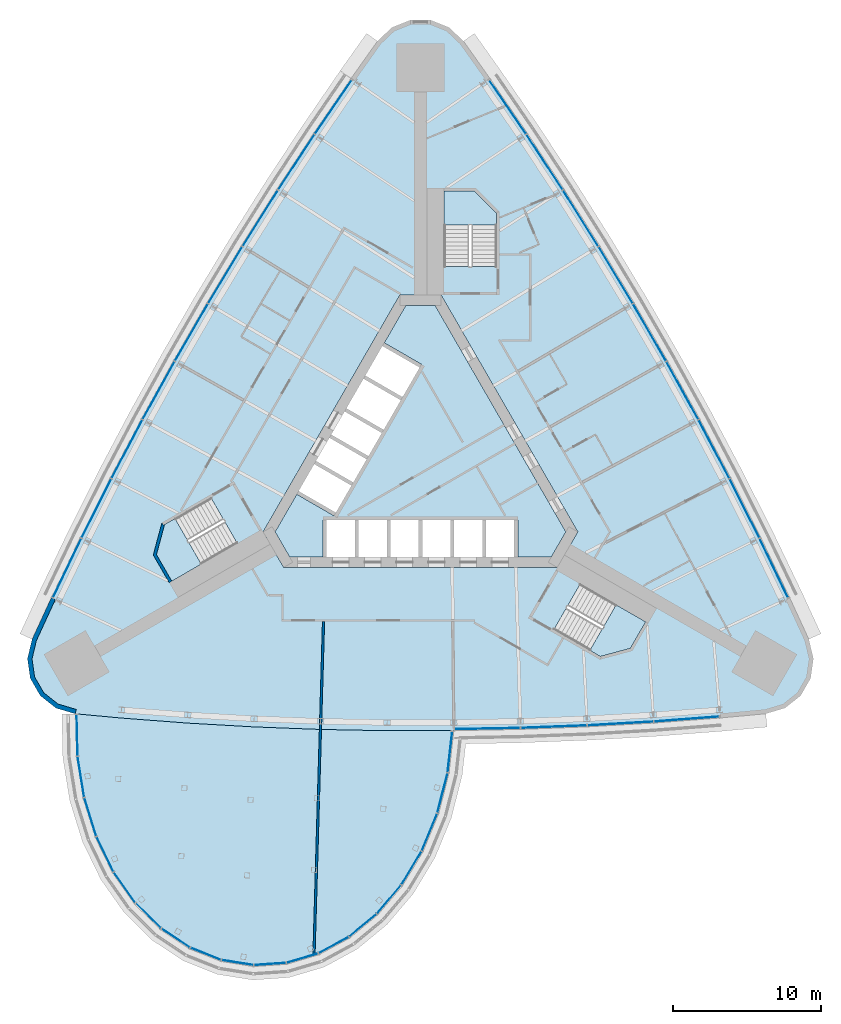
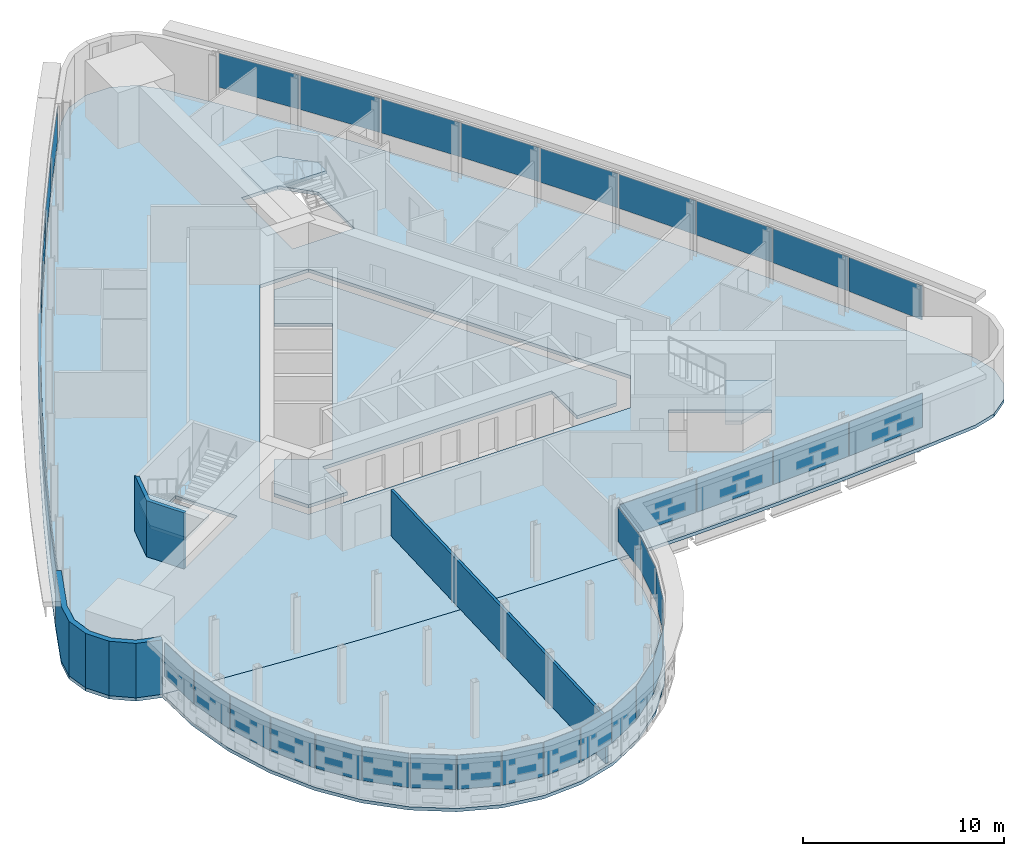
# One storey, part 8 of 15: 40 plates, 6 slabs, 3 walls, 7 elements without a shape of their own.
"""IFC4 building model written with IfcOpenShell, lengths in metres."""

from ifc_helpers import new_model, si_unit, direction, frame, frame_2d, origin, origin_2d, place, context, subcontext, project, spatial, polyline, rectangle, outline, extrude, material, layer, layer_set, type_object, element, aggregate, save


model = new_model("IFC4")

# Units and contexts
model_context = context("Model", 3, precision=1e-05, world=origin(), true_north=direction((0.0, 1.0)))
body_context = subcontext(model_context, "Body", "Model", "MODEL_VIEW")
ifc_project = project(units=[si_unit("LENGTHUNIT", "METRE"), si_unit("AREAUNIT", "SQUARE_METRE"), si_unit("VOLUMEUNIT", "CUBIC_METRE"), si_unit("PLANEANGLEUNIT", "RADIAN"), si_unit("MASSUNIT", "GRAM", prefix="KILO")], contexts=[model_context])

# Site, building, storey
site_placement = place(None, origin())
site = spatial("IfcSite", under=ifc_project, at=site_placement, CompositionType="ELEMENT")
building_placement = place(site_placement, origin())
building = spatial("IfcBuilding", under=site, at=building_placement, Name="Noor Cloister Tower", CompositionType="ELEMENT")
storey_placement = place(building_placement, frame((0.0, 0.0, 58.199951171875)))
storey = spatial("IfcBuildingStorey", under=building, at=storey_placement, Name="L14", CompositionType="ELEMENT", Elevation=58.199951171875)

# Slabs
ifc_material_1 = material(Name="Concrete C40/50", Category="concrete")
ifc_layer_1 = layer(ifc_material_1, 0.199951171875)
ifc_layer_set_1 = layer_set([ifc_layer_1], Name="Core floor slab 200 C40/50")
slab_type_1 = type_object("IfcSlabType", Name="Core floor slab 200 C40/50", PredefinedType="FLOOR", material=ifc_layer_set_1)
slab_1_placement = place(storey_placement, frame((0.0, 0.0, -0.199951171875)))
element("IfcSlab", 1, at=slab_1_placement, inside=storey, type_object=slab_type_1, Name="Core floor L14", PredefinedType="FLOOR", context=body_context, shape_type="SweptSolid", body=[
    extrude(outline(polyline([(-6.574951171875, -6.228271484375), (-6.574951171875, -3.728271484375), (6.574951171875, -3.728271484375), (6.574951171875, -6.228271484375), (8.82470703125, -6.228271484375), (9.80615234375, -4.5283203125), (0.9814453125, 10.75634765625), (-0.9814453125, 10.75634765625), (-2.44384765625, 8.2236328125), (0.067626953125, 6.773681640625), (-5.832275390625, -3.4453125), (-8.34375, -1.995361328125), (-9.80615234375, -4.5283203125), (-8.82470703125, -6.228271484375), (-6.574951171875, -6.228271484375)])), origin(), (0.0, 0.0, 1.0), 0.199951171875),
])
ifc_material_2 = material(Name="Concrete C40/50", Category="concrete")
ifc_layer_2 = layer(ifc_material_2, 0.199951171875)
ifc_layer_set_2 = layer_set([ifc_layer_2], Name="Floor slab 200 C40/50")
slab_type_2 = type_object("IfcSlabType", Name="Floor slab 200 C40/50", PredefinedType="FLOOR", material=ifc_layer_set_2)
slab_2_placement = place(storey_placement, frame((0.0, 0.0, -0.199951171875)))
element("IfcSlab", 2, at=slab_2_placement, inside=storey, type_object=slab_type_2, Name="Floor slab L14", PredefinedType="FLOOR", context=body_context, shape_type="SweptSolid", body=[
    extrude(outline(polyline([(2.90087890625, 28.576171875), (1.923828125, 29.502197265625), (0.673095703125, 30.000732421875), (-0.673095703125, 30.000732421875), (-1.923828125, 29.502197265625), (-2.90087890625, 28.576171875), (-4.683837890625, 26.05810546875), (-7.224609375, 22.343994140625), (-9.69384765625, 18.582275390625), (-12.091064453125, 14.77392578125), (-14.4150390625, 10.920654296875), (-16.6650390625, 7.0234375), (-18.840087890625, 3.084228515625), (-20.939697265625, -0.89599609375), (-22.962890625, -4.91552734375), (-24.908935546875, -8.972900390625), (-26.1982421875, -11.77587890625), (-26.511474609375, -13.085205078125), (-26.31787109375, -14.41748046875), (-25.644775390625, -15.583251953125), (-24.587890625, -16.417236328125), (-23.29736328125, -16.80029296875), (-20.22509765625, -17.085205078125), (-15.73828125, -17.4287109375), (-11.24560546875, -17.686279296875), (-6.7490234375, -17.858154296875), (-2.25, -17.944091796875), (2.25, -17.944091796875), (6.7490234375, -17.858154296875), (11.24560546875, -17.686279296875), (15.73828125, -17.4287109375), (20.22509765625, -17.085205078125), (23.29736328125, -16.80029296875), (24.587890625, -16.417236328125), (25.644775390625, -15.583251953125), (26.31787109375, -14.41748046875), (26.511474609375, -13.085205078125), (26.1982421875, -11.77587890625), (24.908935546875, -8.972900390625), (22.962890625, -4.91552734375), (20.939697265625, -0.89599609375), (18.840087890625, 3.084228515625), (16.6650390625, 7.0234375), (14.4150390625, 10.920654296875), (12.091064453125, 14.77392578125), (9.69384765625, 18.582275390625), (7.224609375, 22.343994140625), (4.683837890625, 26.05810546875), (2.90087890625, 28.576171875)]), holes=[polyline([(8.999755859375, -11.126220703125), (12.131591796875, -12.934326171875), (14.1572265625, -12.3916015625), (15.19091796875, -10.601318359375), (10.774658203125, -8.0517578125), (8.999755859375, -11.126220703125)]), polyline([(-17.81005859375, -6.064697265625), (-16.776611328125, -7.85498046875), (-12.3603515625, -5.305419921875), (-14.13525390625, -2.23095703125), (-16.662841796875, -3.690185546875), (-17.267333984375, -4.039306640625), (-17.81005859375, -6.064697265625)]), polyline([(-10.6142578125, -4.5283203125), (-9.228759765625, -6.92822265625), (9.228759765625, -6.92822265625), (10.6142578125, -4.5283203125), (1.3857421875, 11.456298828125), (-1.3857421875, 11.456298828125), (-10.6142578125, -4.5283203125)]), polyline([(3.65283203125, 18.456298828125), (1.585693359375, 18.456298828125), (1.585693359375, 13.35693359375), (5.135498046875, 13.35693359375), (5.135498046875, 16.9736328125), (3.65283203125, 18.456298828125)])]), origin(), (0.0, 0.0, 1.0), 0.199951171875),
])

# Curtain wall, plates
ifc_material_3 = material(Name="Aluminium 6063-T6 anodised", Category="aluminium")
curtain_wall_type_1 = type_object("IfcCurtainWallType", Name="Ribbon curtain wall, lower tower CW1", PredefinedType="NOTDEFINED", material=ifc_material_3)
curtain_wall_1_placement = place(storey_placement, origin())
curtain_wall_1 = element("IfcCurtainWall", 3, at=curtain_wall_1_placement, inside=storey, type_object=curtain_wall_type_1, Name="CW1 L14 NW run 1", PredefinedType="NOTDEFINED")
ifc_material_4 = material(Name="Clear laminated glass 2 x 8 mm", Category="glass")
ifc_layer_3 = layer(ifc_material_4, 0.028076171875)
ifc_layer_set_3 = layer_set([ifc_layer_3], Name="Glass panel CW1")
plate_type_1 = type_object("IfcPlateType", Name="Glass panel CW1", PredefinedType="CURTAIN_PANEL", material=ifc_layer_set_3)
plate_1_placement = place(storey_placement, frame((-5.882568359375, 24.12841796875, 1.08984375), z_axis=(0.0, 0.0, 1.0), x_axis=(-0.564629239498, -0.82534466855, 0.0)))
plate_1 = element("IfcPlate", 4, at=plate_1_placement, type_object=plate_type_1, Name="CW1 glass panel 1", PredefinedType="CURTAIN_PANEL", context=body_context, shape_type="SweptSolid", body=[
    extrude(rectangle(XDim=4.39892578125, YDim=0.028076171875, at=origin_2d()), origin(), (0.0, 0.0, 1.0), 2.070068359375),
])
plate_2_placement = place(storey_placement, frame((-8.375732421875, 20.408203125, 1.08984375), z_axis=(0.0, 0.0, 1.0), x_axis=(-0.548766225596, -0.835975854702, 0.0)))
plate_2 = element("IfcPlate", 5, at=plate_2_placement, type_object=plate_type_1, Name="CW1 glass panel 2", PredefinedType="CURTAIN_PANEL", context=body_context, shape_type="SweptSolid", body=[
    extrude(rectangle(XDim=4.43798828125, YDim=0.028076171875, at=origin_2d()), origin(), (0.0, 0.0, 1.0), 2.070068359375),
])
plate_3_placement = place(storey_placement, frame((-10.807861328125, 16.624755859375, 1.08984375), z_axis=(0.0, 0.0, 1.0), x_axis=(-0.532703085297, -0.84630220543, 0.0)))
plate_3 = element("IfcPlate", 6, at=plate_3_placement, type_object=plate_type_1, Name="CW1 glass panel 3", PredefinedType="CURTAIN_PANEL", context=body_context, shape_type="SweptSolid", body=[
    extrude(rectangle(XDim=4.43798828125, YDim=0.028076171875, at=origin_2d()), origin(), (0.0, 0.0, 1.0), 2.070068359375),
])
plate_4_placement = place(storey_placement, frame((-13.16748046875, 12.795654296875, 1.08984375), z_axis=(0.0, 0.0, 1.0), x_axis=(-0.516445705504, -0.856319936277, 0.0)))
plate_4 = element("IfcPlate", 7, at=plate_4_placement, type_object=plate_type_1, Name="CW1 glass panel 4", PredefinedType="CURTAIN_PANEL", context=body_context, shape_type="SweptSolid", body=[
    extrude(rectangle(XDim=4.43798828125, YDim=0.028076171875, at=origin_2d()), origin(), (0.0, 0.0, 1.0), 2.070068359375),
])
plate_5_placement = place(storey_placement, frame((-15.453369140625, 8.922119140625, 1.08984375), z_axis=(0.0, 0.0, 1.0), x_axis=(-0.5, -0.866025403784, 0.0)))
plate_5 = element("IfcPlate", 8, at=plate_5_placement, type_object=plate_type_1, Name="CW1 glass panel 5", PredefinedType="CURTAIN_PANEL", context=body_context, shape_type="SweptSolid", body=[
    extrude(rectangle(XDim=4.43798828125, YDim=0.028076171875, at=origin_2d()), origin(), (0.0, 0.0, 1.0), 2.070068359375),
])
plate_6_placement = place(storey_placement, frame((-17.6650390625, 5.005615234375, 1.08984375), z_axis=(0.0, 0.0, 1.0), x_axis=(-0.483371965831, -0.875415068781, 0.0)))
plate_6 = element("IfcPlate", 9, at=plate_6_placement, type_object=plate_type_1, Name="CW1 glass panel 6", PredefinedType="CURTAIN_PANEL", context=body_context, shape_type="SweptSolid", body=[
    extrude(rectangle(XDim=4.43798828125, YDim=0.028076171875, at=origin_2d()), origin(), (0.0, 0.0, 1.0), 2.070068359375),
])
plate_7_placement = place(storey_placement, frame((-19.801513671875, 1.047607421875, 1.08984375), z_axis=(0.0, 0.0, 1.0), x_axis=(-0.466567666533, -0.884485507256, 0.0)))
plate_7 = element("IfcPlate", 10, at=plate_7_placement, type_object=plate_type_1, Name="CW1 glass panel 7", PredefinedType="CURTAIN_PANEL", context=body_context, shape_type="SweptSolid", body=[
    extrude(rectangle(XDim=4.43798828125, YDim=0.028076171875, at=origin_2d()), origin(), (0.0, 0.0, 1.0), 2.070068359375),
])
plate_8_placement = place(storey_placement, frame((-21.86181640625, -2.95068359375, 1.08984375), z_axis=(0.0, 0.0, 1.0), x_axis=(-0.449593214325, -0.893233419456, 0.0)))
plate_8 = element("IfcPlate", 11, at=plate_8_placement, type_object=plate_type_1, Name="CW1 glass panel 8", PredefinedType="CURTAIN_PANEL", context=body_context, shape_type="SweptSolid", body=[
    extrude(rectangle(XDim=4.43798828125, YDim=0.028076171875, at=origin_2d()), origin(), (0.0, 0.0, 1.0), 2.070068359375),
])
plate_9_placement = place(storey_placement, frame((-23.837158203125, -6.9697265625, 1.08984375), z_axis=(0.0, 0.0, 1.0), x_axis=(-0.432454830094, -0.9016555994, 0.0)))
plate_9 = element("IfcPlate", 12, at=plate_9_placement, type_object=plate_type_1, Name="CW1 glass panel 9", PredefinedType="CURTAIN_PANEL", context=body_context, shape_type="SweptSolid", body=[
    extrude(rectangle(XDim=4.39892578125, YDim=0.028076171875, at=origin_2d()), origin(), (0.0, 0.0, 1.0), 2.070068359375),
])
aggregate(curtain_wall_1, [plate_1, plate_2, plate_3, plate_4, plate_5, plate_6, plate_7, plate_8, plate_9])

curtain_wall_2_placement = place(storey_placement, origin())
curtain_wall_2 = element("IfcCurtainWall", 13, at=curtain_wall_2_placement, inside=storey, type_object=curtain_wall_type_1, Name="CW1 L14 S run 3", PredefinedType="NOTDEFINED")
plate_10_placement = place(storey_placement, frame((4.51708984375, -17.80078125, 1.08984375), z_axis=(0.0, 0.0, 1.0), x_axis=(0.999817671335, 0.019095132503, 0.0)))
plate_10 = element("IfcPlate", 14, at=plate_10_placement, type_object=plate_type_1, Name="CW1 glass panel 1", PredefinedType="CURTAIN_PANEL", context=body_context, shape_type="SweptSolid", body=[
    extrude(rectangle(XDim=4.39892578125, YDim=0.028076171875, at=origin_2d()), origin(), (0.0, 0.0, 1.0), 2.070068359375),
])
plate_11_placement = place(storey_placement, frame((8.99365234375, -17.67236328125, 1.08984375), z_axis=(0.0, 0.0, 1.0), x_axis=(0.999270751829, 0.038183301826, 0.0)))
plate_11 = element("IfcPlate", 15, at=plate_11_placement, type_object=plate_type_1, Name="CW1 glass panel 2", PredefinedType="CURTAIN_PANEL", context=body_context, shape_type="SweptSolid", body=[
    extrude(rectangle(XDim=4.43798828125, YDim=0.028076171875, at=origin_2d()), origin(), (0.0, 0.0, 1.0), 2.070068359375),
])
plate_12_placement = place(storey_placement, frame((13.486328125, -17.457763671875, 1.08984375), z_axis=(0.0, 0.0, 1.0), x_axis=(0.998359439921, 0.057257564754, 0.0)))
plate_12 = element("IfcPlate", 16, at=plate_12_placement, type_object=plate_type_1, Name="CW1 glass panel 3", PredefinedType="CURTAIN_PANEL", context=body_context, shape_type="SweptSolid", body=[
    extrude(rectangle(XDim=4.43798828125, YDim=0.028076171875, at=origin_2d()), origin(), (0.0, 0.0, 1.0), 2.070068359375),
])
plate_13_placement = place(storey_placement, frame((17.95458984375, -17.15869140625, 1.08984375), z_axis=(0.0, 0.0, 1.0), x_axis=(0.997084069591, 0.076310930849, 0.0)))
plate_13 = element("IfcPlate", 17, at=plate_13_placement, type_object=plate_type_1, Name="CW1 glass panel 4", PredefinedType="CURTAIN_PANEL", context=body_context, shape_type="SweptSolid", body=[
    extrude(rectangle(XDim=4.39892578125, YDim=0.028076171875, at=origin_2d()), origin(), (0.0, 0.0, 1.0), 2.070068359375),
])
aggregate(curtain_wall_2, [plate_10, plate_11, plate_12, plate_13])

curtain_wall_3_placement = place(storey_placement, origin())
curtain_wall_3 = element("IfcCurtainWall", 18, at=curtain_wall_3_placement, inside=storey, type_object=curtain_wall_type_1, Name="CW1 L14 NE run 4", PredefinedType="NOTDEFINED")
plate_14_placement = place(storey_placement, frame((23.837158203125, -6.9697265625, 1.08984375), z_axis=(0.0, 0.0, 1.0), x_axis=(-0.432454830094, 0.9016555994, 0.0)))
plate_14 = element("IfcPlate", 19, at=plate_14_placement, type_object=plate_type_1, Name="CW1 glass panel 1", PredefinedType="CURTAIN_PANEL", context=body_context, shape_type="SweptSolid", body=[
    extrude(rectangle(XDim=4.39892578125, YDim=0.028076171875, at=origin_2d()), origin(), (0.0, 0.0, 1.0), 2.070068359375),
])
plate_15_placement = place(storey_placement, frame((21.86181640625, -2.95068359375, 1.08984375), z_axis=(0.0, 0.0, 1.0), x_axis=(-0.449593214325, 0.893233419456, 0.0)))
plate_15 = element("IfcPlate", 20, at=plate_15_placement, type_object=plate_type_1, Name="CW1 glass panel 2", PredefinedType="CURTAIN_PANEL", context=body_context, shape_type="SweptSolid", body=[
    extrude(rectangle(XDim=4.43798828125, YDim=0.028076171875, at=origin_2d()), origin(), (0.0, 0.0, 1.0), 2.070068359375),
])
plate_16_placement = place(storey_placement, frame((19.801513671875, 1.047607421875, 1.08984375), z_axis=(0.0, 0.0, 1.0), x_axis=(-0.466567666533, 0.884485507256, 0.0)))
plate_16 = element("IfcPlate", 21, at=plate_16_placement, type_object=plate_type_1, Name="CW1 glass panel 3", PredefinedType="CURTAIN_PANEL", context=body_context, shape_type="SweptSolid", body=[
    extrude(rectangle(XDim=4.43798828125, YDim=0.028076171875, at=origin_2d()), origin(), (0.0, 0.0, 1.0), 2.070068359375),
])
plate_17_placement = place(storey_placement, frame((17.6650390625, 5.005615234375, 1.08984375), z_axis=(0.0, 0.0, 1.0), x_axis=(-0.483371965831, 0.875415068781, 0.0)))
plate_17 = element("IfcPlate", 22, at=plate_17_placement, type_object=plate_type_1, Name="CW1 glass panel 4", PredefinedType="CURTAIN_PANEL", context=body_context, shape_type="SweptSolid", body=[
    extrude(rectangle(XDim=4.43798828125, YDim=0.028076171875, at=origin_2d()), origin(), (0.0, 0.0, 1.0), 2.070068359375),
])
plate_18_placement = place(storey_placement, frame((15.453369140625, 8.922119140625, 1.08984375), z_axis=(0.0, 0.0, 1.0), x_axis=(-0.5, 0.866025403784, 0.0)))
plate_18 = element("IfcPlate", 23, at=plate_18_placement, type_object=plate_type_1, Name="CW1 glass panel 5", PredefinedType="CURTAIN_PANEL", context=body_context, shape_type="SweptSolid", body=[
    extrude(rectangle(XDim=4.43798828125, YDim=0.028076171875, at=origin_2d()), origin(), (0.0, 0.0, 1.0), 2.070068359375),
])
plate_19_placement = place(storey_placement, frame((13.16748046875, 12.795654296875, 1.08984375), z_axis=(0.0, 0.0, 1.0), x_axis=(-0.516445705504, 0.856319936277, 0.0)))
plate_19 = element("IfcPlate", 24, at=plate_19_placement, type_object=plate_type_1, Name="CW1 glass panel 6", PredefinedType="CURTAIN_PANEL", context=body_context, shape_type="SweptSolid", body=[
    extrude(rectangle(XDim=4.43798828125, YDim=0.028076171875, at=origin_2d()), origin(), (0.0, 0.0, 1.0), 2.070068359375),
])
plate_20_placement = place(storey_placement, frame((10.807861328125, 16.624755859375, 1.08984375), z_axis=(0.0, 0.0, 1.0), x_axis=(-0.532703085297, 0.84630220543, 0.0)))
plate_20 = element("IfcPlate", 25, at=plate_20_placement, type_object=plate_type_1, Name="CW1 glass panel 7", PredefinedType="CURTAIN_PANEL", context=body_context, shape_type="SweptSolid", body=[
    extrude(rectangle(XDim=4.43798828125, YDim=0.028076171875, at=origin_2d()), origin(), (0.0, 0.0, 1.0), 2.070068359375),
])
plate_21_placement = place(storey_placement, frame((8.375732421875, 20.408203125, 1.08984375), z_axis=(0.0, 0.0, 1.0), x_axis=(-0.548766225596, 0.835975854702, 0.0)))
plate_21 = element("IfcPlate", 26, at=plate_21_placement, type_object=plate_type_1, Name="CW1 glass panel 8", PredefinedType="CURTAIN_PANEL", context=body_context, shape_type="SweptSolid", body=[
    extrude(rectangle(XDim=4.43798828125, YDim=0.028076171875, at=origin_2d()), origin(), (0.0, 0.0, 1.0), 2.070068359375),
])
plate_22_placement = place(storey_placement, frame((5.882568359375, 24.12841796875, 1.08984375), z_axis=(0.0, 0.0, 1.0), x_axis=(-0.564629239498, 0.82534466855, 0.0)))
plate_22 = element("IfcPlate", 27, at=plate_22_placement, type_object=plate_type_1, Name="CW1 glass panel 9", PredefinedType="CURTAIN_PANEL", context=body_context, shape_type="SweptSolid", body=[
    extrude(rectangle(XDim=4.39892578125, YDim=0.028076171875, at=origin_2d()), origin(), (0.0, 0.0, 1.0), 2.070068359375),
])
aggregate(curtain_wall_3, [plate_14, plate_15, plate_16, plate_17, plate_18, plate_19, plate_20, plate_21, plate_22])

ifc_material_5 = material(Name="Aluminium 6063-T6 anodised", Category="aluminium")
curtain_wall_type_2 = type_object("IfcCurtainWallType", Name="Sky bar curtain wall, lower bars CW2", PredefinedType="NOTDEFINED", material=ifc_material_5)
curtain_wall_4_placement = place(storey_placement, origin())
curtain_wall_4 = element("IfcCurtainWall", 28, at=curtain_wall_4_placement, inside=storey, type_object=curtain_wall_type_2, Name="CW2 L14 S sky bar run 2", PredefinedType="NOTDEFINED")
ifc_material_6 = material(Name="Clear laminated glass 2 x 8 mm", Category="glass")
ifc_layer_4 = layer(ifc_material_6, 0.028076171875)
ifc_layer_set_4 = layer_set([ifc_layer_4], Name="Glass panel CW2")
plate_type_2 = type_object("IfcPlateType", Name="Glass panel CW2", PredefinedType="CURTAIN_PANEL", material=ifc_layer_set_4)
plate_23_placement = place(storey_placement, frame((-23.1640625, -18.25, 1.08984375), z_axis=(0.0, 0.0, 1.0), x_axis=(0.022953130341, -0.999736542199, 0.0)))
plate_23 = element("IfcPlate", 29, at=plate_23_placement, type_object=plate_type_2, Name="CW2 glass panel 1", PredefinedType="CURTAIN_PANEL", context=body_context, shape_type="SweptSolid", body=[
    extrude(rectangle(XDim=2.764892578125, YDim=0.028076171875, at=origin_2d()), origin(), (0.0, 0.0, 1.0), 2.070068359375),
])
plate_24_placement = place(storey_placement, frame((-22.90673828125, -21.055908203125, 1.08984375), z_axis=(0.0, 0.0, 1.0), x_axis=(0.159312680453, -0.987228175169, 0.0)))
plate_24 = element("IfcPlate", 30, at=plate_24_placement, type_object=plate_type_2, Name="CW2 glass panel 2", PredefinedType="CURTAIN_PANEL", context=body_context, shape_type="SweptSolid", body=[
    extrude(rectangle(XDim=2.76318359375, YDim=0.028076171875, at=origin_2d()), origin(), (0.0, 0.0, 1.0), 2.070068359375),
])
plate_25_placement = place(storey_placement, frame((-22.271728515625, -23.765625, 1.08984375), z_axis=(0.0, 0.0, 1.0), x_axis=(0.297447210431, -0.954738266232, 0.0)))
plate_25 = element("IfcPlate", 31, at=plate_25_placement, type_object=plate_type_2, Name="CW2 glass panel 3", PredefinedType="CURTAIN_PANEL", context=body_context, shape_type="SweptSolid", body=[
    extrude(rectangle(XDim=2.69677734375, YDim=0.028076171875, at=origin_2d()), origin(), (0.0, 0.0, 1.0), 2.070068359375),
])
plate_26_placement = place(storey_placement, frame((-21.279296875, -26.280029296875, 1.08984375), z_axis=(0.0, 0.0, 1.0), x_axis=(0.437139862284, -0.899393540561, 0.0)))
plate_26 = element("IfcPlate", 32, at=plate_26_placement, type_object=plate_type_2, Name="CW2 glass panel 4", PredefinedType="CURTAIN_PANEL", context=body_context, shape_type="SweptSolid", body=[
    extrude(rectangle(XDim=2.6044921875, YDim=0.028076171875, at=origin_2d()), origin(), (0.0, 0.0, 1.0), 2.070068359375),
])
plate_27_placement = place(storey_placement, frame((-19.9599609375, -28.522705078125, 1.08984375), z_axis=(0.0, 0.0, 1.0), x_axis=(0.576574241593, -0.817044762501, 0.0)))
plate_27 = element("IfcPlate", 33, at=plate_27_placement, type_object=plate_type_2, Name="CW2 glass panel 5", PredefinedType="CURTAIN_PANEL", context=body_context, shape_type="SweptSolid", body=[
    extrude(rectangle(XDim=2.49560546875, YDim=0.028076171875, at=origin_2d()), origin(), (0.0, 0.0, 1.0), 2.070068359375),
])
plate_28_placement = place(storey_placement, frame((-18.354736328125, -30.425048828125, 1.08984375), z_axis=(0.0, 0.0, 1.0), x_axis=(0.71124855253, -0.702940606683, 0.0)))
plate_28 = element("IfcPlate", 34, at=plate_28_placement, type_object=plate_type_2, Name="CW2 glass panel 6", PredefinedType="CURTAIN_PANEL", context=body_context, shape_type="SweptSolid", body=[
    extrude(rectangle(XDim=2.3818359375, YDim=0.028076171875, at=origin_2d()), origin(), (0.0, 0.0, 1.0), 2.070068359375),
])
plate_29_placement = place(storey_placement, frame((-16.5126953125, -31.93017578125, 1.08984375), z_axis=(0.0, 0.0, 1.0), x_axis=(0.832918207927, -0.553396113922, 0.0)))
plate_29 = element("IfcPlate", 35, at=plate_29_placement, type_object=plate_type_2, Name="CW2 glass panel 7", PredefinedType="CURTAIN_PANEL", context=body_context, shape_type="SweptSolid", body=[
    extrude(rectangle(XDim=2.27685546875, YDim=0.028076171875, at=origin_2d()), origin(), (0.0, 0.0, 1.0), 2.070068359375),
])
plate_30_placement = place(storey_placement, frame((-14.49072265625, -32.992919921875, 1.08984375), z_axis=(0.0, 0.0, 1.0), x_axis=(0.92953704236, -0.36872874431, 0.0)))
plate_30 = element("IfcPlate", 36, at=plate_30_placement, type_object=plate_type_2, Name="CW2 glass panel 8", PredefinedType="CURTAIN_PANEL", context=body_context, shape_type="SweptSolid", body=[
    extrude(rectangle(XDim=2.196044921875, YDim=0.028076171875, at=origin_2d()), origin(), (0.0, 0.0, 1.0), 2.070068359375),
])
plate_31_placement = place(storey_placement, frame((-12.349609375, -33.58203125, 1.08984375), z_axis=(0.0, 0.0, 1.0), x_axis=(0.987675548586, -0.156515209246, 0.0)))
plate_31 = element("IfcPlate", 37, at=plate_31_placement, type_object=plate_type_2, Name="CW2 glass panel 9", PredefinedType="CURTAIN_PANEL", context=body_context, shape_type="SweptSolid", body=[
    extrude(rectangle(XDim=2.151611328125, YDim=0.028076171875, at=origin_2d()), origin(), (0.0, 0.0, 1.0), 2.070068359375),
])
plate_32_placement = place(storey_placement, frame((-10.153564453125, -33.680419921875, 1.08984375), z_axis=(0.0, 0.0, 1.0), x_axis=(0.997710380305, 0.067631331732, 0.0)))
plate_32 = element("IfcPlate", 38, at=plate_32_placement, type_object=plate_type_2, Name="CW2 glass panel 10", PredefinedType="CURTAIN_PANEL", context=body_context, shape_type="SweptSolid", body=[
    extrude(rectangle(XDim=2.151611328125, YDim=0.028076171875, at=origin_2d()), origin(), (0.0, 0.0, 1.0), 2.070068359375),
])
plate_33_placement = place(storey_placement, frame((-7.968505859375, -33.284912109375, 1.08984375), z_axis=(0.0, 0.0, 1.0), x_axis=(0.958767660317, 0.284191086295, 0.0)))
plate_33 = element("IfcPlate", 39, at=plate_33_placement, type_object=plate_type_2, Name="CW2 glass panel 11", PredefinedType="CURTAIN_PANEL", context=body_context, shape_type="SweptSolid", body=[
    extrude(rectangle(XDim=2.196044921875, YDim=0.028076171875, at=origin_2d()), origin(), (0.0, 0.0, 1.0), 2.070068359375),
])
plate_34_placement = place(storey_placement, frame((-5.859375, -32.4072265625, 1.08984375), z_axis=(0.0, 0.0, 1.0), x_axis=(0.879037044757, 0.476753472924, 0.0)))
plate_34 = element("IfcPlate", 40, at=plate_34_placement, type_object=plate_type_2, Name="CW2 glass panel 12", PredefinedType="CURTAIN_PANEL", context=body_context, shape_type="SweptSolid", body=[
    extrude(rectangle(XDim=2.27685546875, YDim=0.028076171875, at=origin_2d()), origin(), (0.0, 0.0, 1.0), 2.070068359375),
])
plate_35_placement = place(storey_placement, frame((-3.890380859375, -31.07275390625, 1.08984375), z_axis=(0.0, 0.0, 1.0), x_axis=(0.771217283095, 0.636571992987, 0.0)))
plate_35 = element("IfcPlate", 41, at=plate_35_placement, type_object=plate_type_2, Name="CW2 glass panel 13", PredefinedType="CURTAIN_PANEL", context=body_context, shape_type="SweptSolid", body=[
    extrude(rectangle(XDim=2.3818359375, YDim=0.028076171875, at=origin_2d()), origin(), (0.0, 0.0, 1.0), 2.070068359375),
])
plate_36_placement = place(storey_placement, frame((-2.12158203125, -29.3212890625, 1.08984375), z_axis=(0.0, 0.0, 1.0), x_axis=(0.647277976935, 0.762254039396, 0.0)))
plate_36 = element("IfcPlate", 42, at=plate_36_placement, type_object=plate_type_2, Name="CW2 glass panel 14", PredefinedType="CURTAIN_PANEL", context=body_context, shape_type="SweptSolid", body=[
    extrude(rectangle(XDim=2.49560546875, YDim=0.028076171875, at=origin_2d()), origin(), (0.0, 0.0, 1.0), 2.070068359375),
])
plate_37_placement = place(storey_placement, frame((-0.607177734375, -27.20556640625, 1.08984375), z_axis=(0.0, 0.0, 1.0), x_axis=(0.515760030153, 0.856733092215, 0.0)))
plate_37 = element("IfcPlate", 43, at=plate_37_placement, type_object=plate_type_2, Name="CW2 glass panel 15", PredefinedType="CURTAIN_PANEL", context=body_context, shape_type="SweptSolid", body=[
    extrude(rectangle(XDim=2.6044921875, YDim=0.028076171875, at=origin_2d()), origin(), (0.0, 0.0, 1.0), 2.070068359375),
])
plate_38_placement = place(storey_placement, frame((0.606201171875, -24.789794921875, 1.08984375), z_axis=(0.0, 0.0, 1.0), x_axis=(0.38157175805, 0.924339219907, 0.0)))
plate_38 = element("IfcPlate", 44, at=plate_38_placement, type_object=plate_type_2, Name="CW2 glass panel 16", PredefinedType="CURTAIN_PANEL", context=body_context, shape_type="SweptSolid", body=[
    extrude(rectangle(XDim=2.69677734375, YDim=0.028076171875, at=origin_2d()), origin(), (0.0, 0.0, 1.0), 2.070068359375),
])
plate_39_placement = place(storey_placement, frame((1.480712890625, -22.147705078125, 1.08984375), z_axis=(0.0, 0.0, 1.0), x_axis=(0.246893105079, 0.969042720763, 0.0)))
plate_39 = element("IfcPlate", 45, at=plate_39_placement, type_object=plate_type_2, Name="CW2 glass panel 17", PredefinedType="CURTAIN_PANEL", context=body_context, shape_type="SweptSolid", body=[
    extrude(rectangle(XDim=2.76318359375, YDim=0.028076171875, at=origin_2d()), origin(), (0.0, 0.0, 1.0), 2.070068359375),
])
plate_40_placement = place(storey_placement, frame((1.987548828125, -19.376220703125, 1.08984375), z_axis=(0.0, 0.0, 1.0), x_axis=(0.112196799802, 0.993686005796, 0.0)))
plate_40 = element("IfcPlate", 46, at=plate_40_placement, type_object=plate_type_2, Name="CW2 glass panel 18", PredefinedType="CURTAIN_PANEL", context=body_context, shape_type="SweptSolid", body=[
    extrude(rectangle(XDim=2.764892578125, YDim=0.028076171875, at=origin_2d()), origin(), (0.0, 0.0, 1.0), 2.070068359375),
])
aggregate(curtain_wall_4, [plate_23, plate_24, plate_25, plate_26, plate_27, plate_28, plate_29, plate_30, plate_31, plate_32, plate_33, plate_34, plate_35, plate_36, plate_37, plate_38, plate_39, plate_40])

# Slab
ifc_material_7 = material(Name="Concrete C40/50", Category="concrete")
ifc_layer_5 = layer(ifc_material_7, 0.199951171875)
ifc_layer_set_5 = layer_set([ifc_layer_5], Name="Pod floor slab 200")
slab_type_3 = type_object("IfcSlabType", Name="Pod floor slab 200", PredefinedType="FLOOR", material=ifc_layer_set_5)
slab_3_placement = place(storey_placement, frame((0.0, 0.0, -0.199951171875)))
element("IfcSlab", 47, at=slab_3_placement, inside=storey, type_object=slab_type_3, Name="Pod floor slab L14", PredefinedType="FLOOR", context=body_context, shape_type="SweptSolid", body=[
    extrude(outline(polyline([(-23.29736328125, -16.80029296875), (-23.2314453125, -19.67138671875), (-22.779296875, -22.472412109375), (-21.954833984375, -25.11865234375), (-20.783203125, -27.529541015625), (-19.299560546875, -29.6318359375), (-17.549560546875, -31.361328125), (-15.5859375, -32.666015625), (-13.468505859375, -33.506103515625), (-11.26171875, -33.855712890625), (-9.0322265625, -33.70458984375), (-6.84814453125, -33.05712890625), (-4.77587890625, -31.933349609375), (-2.878173828125, -30.366943359375), (-1.212890625, -28.40576171875), (0.169677734375, -26.109130859375), (1.227294921875, -23.54736328125), (1.927734375, -20.797607421875), (2.25, -17.944091796875), (-2.25, -17.944091796875), (-6.7490234375, -17.858154296875), (-11.24560546875, -17.686279296875), (-15.73828125, -17.4287109375), (-20.22509765625, -17.085205078125), (-23.29736328125, -16.80029296875)])), origin(), (0.0, 0.0, 1.0), 0.199951171875),
])

# Stair, slab
ifc_material_8 = material(Name="Concrete C40/50", Category="concrete")
stair_type = type_object("IfcStairType", Name="Exit stair 22 risers", PredefinedType="HALF_TURN_STAIR", material=ifc_material_8)
stair_1_placement = place(storey_placement, origin())
stair_1 = element("IfcStair", 48, at=stair_1_placement, inside=storey, type_object=stair_type, Name="Exit stair ST1 L14", PredefinedType="HALF_TURN_STAIR")
ifc_material_9 = material(Name="Concrete C40/50", Category="concrete")
ifc_layer_6 = layer(ifc_material_9, 0.199951171875)
ifc_layer_set_6 = layer_set([ifc_layer_6], Name="Stair landing 200 C40/50")
slab_type_4 = type_object("IfcSlabType", Name="Stair landing 200 C40/50", PredefinedType="LANDING", material=ifc_layer_set_6)
slab_4_placement = place(storey_placement, frame((0.0, 0.0, 1.60009765625)))
slab_4 = element("IfcSlab", 49, at=slab_4_placement, type_object=slab_type_4, Name="ST1 landing 1", PredefinedType="LANDING", context=body_context, shape_type="SweptSolid", body=[
    extrude(outline(polyline([(5.135498046875, 16.15576171875), (5.135498046875, 16.9736328125), (3.65283203125, 18.456298828125), (1.585693359375, 18.456298828125), (1.585693359375, 16.15576171875), (5.135498046875, 16.15576171875)])), origin(), (0.0, 0.0, 1.0), 0.199951171875),
])
aggregate(stair_1, [slab_4])

stair_2_placement = place(storey_placement, origin())
stair_2 = element("IfcStair", 50, at=stair_2_placement, inside=storey, type_object=stair_type, Name="Exit stair ST2 L14", PredefinedType="HALF_TURN_STAIR")
slab_5_placement = place(storey_placement, frame((0.0, 0.0, 1.60009765625)))
slab_5 = element("IfcSlab", 51, at=slab_5_placement, type_object=slab_type_4, Name="ST2 landing 1", PredefinedType="LANDING", context=body_context, shape_type="SweptSolid", body=[
    extrude(outline(polyline([(-16.55908203125, -3.63037109375), (-17.267333984375, -4.039306640625), (-17.81005859375, -6.064697265625), (-16.776611328125, -7.85498046875), (-14.7841796875, -6.70458984375), (-16.55908203125, -3.63037109375)])), origin(), (0.0, 0.0, 1.0), 0.199951171875),
])
aggregate(stair_2, [slab_5])

stair_3_placement = place(storey_placement, origin())
stair_3 = element("IfcStair", 52, at=stair_3_placement, inside=storey, type_object=stair_type, Name="Exit stair ST3 L14", PredefinedType="HALF_TURN_STAIR")
slab_6_placement = place(storey_placement, frame((0.0, 0.0, 1.60009765625)))
slab_6 = element("IfcSlab", 53, at=slab_6_placement, type_object=slab_type_4, Name="ST3 landing 1", PredefinedType="LANDING", context=body_context, shape_type="SweptSolid", body=[
    extrude(outline(polyline([(11.423583984375, -12.525390625), (12.131591796875, -12.934326171875), (14.1572265625, -12.3916015625), (15.19091796875, -10.601318359375), (13.198486328125, -9.451171875), (11.423583984375, -12.525390625)])), origin(), (0.0, 0.0, 1.0), 0.199951171875),
])
aggregate(stair_3, [slab_6])

# Walls
ifc_material_10 = material(Name="Gypsum board partition on steel studs, 150 mm", Category="steel")
ifc_layer_7 = layer(ifc_material_10, 0.14990234375)
ifc_layer_set_7 = layer_set([ifc_layer_7], Name="Flat wall 150")
wall_type_1 = type_object("IfcWallType", Name="Flat wall 150", PredefinedType="PARTITIONING", material=ifc_layer_set_7)
wall_1_placement = place(storey_placement, frame((-7.1826171875, -32.989501953125, 0.0), z_axis=(0.0, 0.0, 1.0), x_axis=(0.028641228243, 0.999589755872, 0.0)))
element("IfcWall", 54, at=wall_1_placement, inside=storey, type_object=wall_type_1, Name="Flat wall 150 L14 016", PredefinedType="PARTITIONING", context=body_context, shape_type="SweptSolid", body=[
    extrude(rectangle(XDim=22.41845703125, YDim=0.14990234375, at=frame_2d((11.209228515625, 0.0))), origin(), (0.0, 0.0, 1.0), 2.778076171875),
])
ifc_material_11 = material(Name="Limestone", Category="masonry")
ifc_layer_8 = layer(ifc_material_11, 0.300048828125)
ifc_layer_set_8 = layer_set([ifc_layer_8], Name="Limestone cladding 300")
wall_type_2 = type_object("IfcWallType", Name="Limestone cladding 300", PredefinedType="NOTDEFINED", material=ifc_layer_set_8)
wall_2_placement = place(storey_placement, origin())
element("IfcWall", 55, at=wall_2_placement, inside=storey, type_object=wall_type_2, Name="Limestone pier cladding L14 1.1", PredefinedType="NOTDEFINED", context=body_context, shape_type="SweptSolid", body=[
    extrude(outline(polyline([(-24.908935546875, -8.972900390625), (-26.1982421875, -11.77587890625), (-26.511474609375, -13.085205078125), (-26.31787109375, -14.41748046875), (-25.644775390625, -15.583251953125), (-24.587890625, -16.417236328125), (-23.29736328125, -16.80029296875), (-23.2119140625, -16.5126953125), (-24.447265625, -16.14599609375), (-25.413818359375, -15.383544921875), (-26.029296875, -14.317138671875), (-26.206298828125, -13.098876953125), (-25.913330078125, -11.87451171875), (-24.63623046875, -9.09814453125), (-24.908935546875, -8.972900390625)])), origin(), (0.0, 0.0, 1.0), 3.300048828125),
])
ifc_material_12 = material(Name="Concrete C80/95", Category="concrete")
wall_type_3 = type_object("IfcWallType", Name="Stair far end wall C80/95", PredefinedType="SHEAR", material=ifc_material_12)
wall_3_placement = place(storey_placement, frame((0.0, 0.0, -0.199951171875)))
element("IfcWall", 56, at=wall_3_placement, inside=storey, type_object=wall_type_3, Name="Stair enclosure wall ST2 L14 far end", PredefinedType="SHEAR", context=body_context, shape_type="SweptSolid", body=[
    extrude(outline(polyline([(-17.439208984375, -3.907470703125), (-18.024658203125, -6.093017578125), (-16.94970703125, -7.955078125), (-16.776611328125, -7.85498046875), (-17.81005859375, -6.064697265625), (-17.267333984375, -4.039306640625), (-17.339111328125, -4.08056640625), (-17.339111328125, -4.08056640625), (-17.339111328125, -4.08056640625), (-17.339111328125, -4.08056640625), (-17.339111328125, -4.08056640625), (-17.339111328125, -4.08056640625), (-17.339111328125, -4.08056640625), (-17.339111328125, -4.08056640625), (-17.339111328125, -4.08056640625), (-17.339111328125, -4.08056640625), (-17.339111328125, -4.08056640625), (-17.339111328125, -4.08056640625), (-17.339111328125, -4.08056640625), (-17.339111328125, -4.08056640625), (-17.339111328125, -4.08056640625), (-17.339111328125, -4.08056640625), (-17.339111328125, -4.08056640625), (-17.439208984375, -3.907470703125)])), origin(), (0.0, 0.0, 1.0), 3.60009765625),
])

save(model, "model.ifc")
